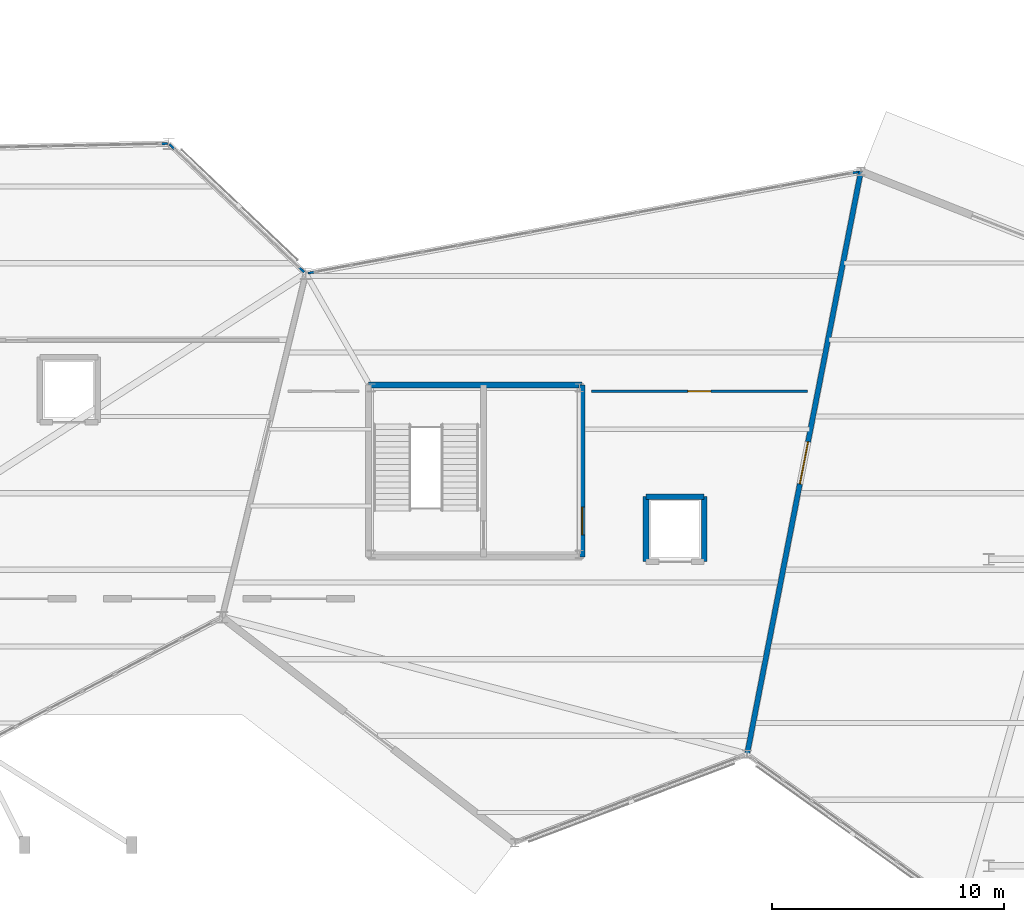
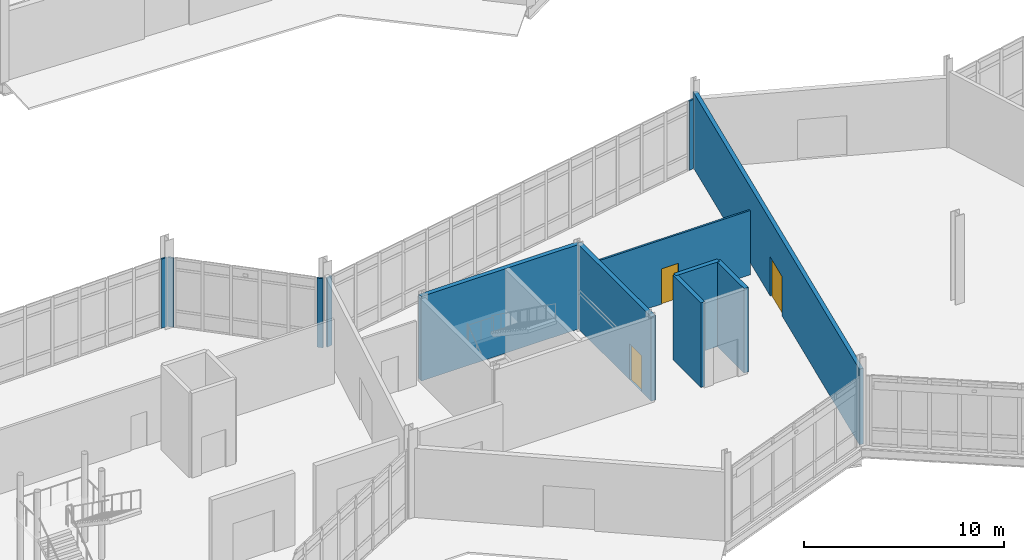
# One storey, part 91 of 113: 12 walls, 3 doors, 3 openings.
"""IFC4 building model written with IfcOpenShell, lengths in metres."""

import ifcopenshell
import ifcopenshell.guid

model = None  # the IFC model being written
_history = None  # IfcOwnerHistory: only IFC2X3 demands one
_inside = {}  # id of a spatial element -> (the spatial element, [elements in it])
_under = {}  # id of a project, library or spatial element -> (it, [spatial elements below it])
_declared = {}  # id of a project -> (the project, [libraries it declares])
_typed = {}  # id of a type object -> (the type object, [elements of that type])
_made_of = {}  # id of a material, layer set ... -> (it, [elements and type objects made of it])


def new_model(schema):
    """Start an empty IFC model of exactly this schema.

    Asked for "IFC4X3", IfcOpenShell would pick the latest addendum, in which some entities
    have other attributes; the version numbers below select the first issue.
    IFC2X3 requires an IfcOwnerHistory on every rooted entity: one is made here for all.
    """
    global model, _history
    if schema == "IFC4X3":
        model = ifcopenshell.file(schema_version=(4, 3, 0, 0))
    else:
        model = ifcopenshell.file(schema=schema)
    _inside.clear()
    _under.clear()
    _declared.clear()
    _typed.clear()
    _made_of.clear()
    _history = None
    if model.schema == "IFC2X3":
        org = make("IfcOrganization", Name="unknown")
        user = make(
            "IfcPersonAndOrganization",
            ThePerson=make("IfcPerson", FamilyName="unknown"),
            TheOrganization=org,
        )
        app = make(
            "IfcApplication",
            ApplicationDeveloper=org,
            Version="unknown",
            ApplicationFullName="unknown",
            ApplicationIdentifier="unknown",
        )
        _history = make(
            "IfcOwnerHistory",
            OwningUser=user,
            OwningApplication=app,
            ChangeAction="ADDED",
            CreationDate=0,
        )
    return model


def make(cls, **values):
    """One entity of the class cls with the attributes given. An attribute that is None is left unset."""
    return model.create_entity(
        cls, **{name: value for name, value in values.items() if value is not None}
    )


def rooted(cls, **values):
    """An entity with a GlobalId (a new one), such as an element, a storey or a relation."""
    return make(cls, GlobalId=ifcopenshell.guid.new(), OwnerHistory=_history, **values)


def si_unit(unit_type, name, prefix=None):
    """IfcSIUnit, for example si_unit("LENGTHUNIT", "METRE", prefix="MILLI")."""
    return make("IfcSIUnit", UnitType=unit_type, Prefix=prefix, Name=name)


def assignment(units):
    """IfcUnitAssignment: the units of a project."""
    return None if units is None else make("IfcUnitAssignment", Units=units)


def point(xyz):
    """IfcCartesianPoint."""
    return None if xyz is None else make("IfcCartesianPoint", Coordinates=xyz)


def direction(xyz):
    """IfcDirection."""
    return None if xyz is None else make("IfcDirection", DirectionRatios=xyz)


def frame(location, z_axis=None, x_axis=None):
    """IfcAxis2Placement3D, a coordinate frame: its origin and axes. An axis left out is left unset."""
    return make(
        "IfcAxis2Placement3D",
        Location=point(location),
        Axis=direction(z_axis),
        RefDirection=direction(x_axis),
    )


def frame_2d(location, x_axis=None):
    """IfcAxis2Placement2D, a coordinate frame in the plane: its origin and x axis."""
    return make(
        "IfcAxis2Placement2D", Location=point(location), RefDirection=direction(x_axis)
    )


def origin():
    """The frame at (0, 0, 0) with its axes left unset."""
    return frame((0.0, 0.0, 0.0))


def place(relative_to, where):
    """IfcLocalPlacement: puts the frame where relative to a parent placement (None: the world)."""
    return make(
        "IfcLocalPlacement", PlacementRelTo=relative_to, RelativePlacement=where
    )


def context(
    kind, dimensions, precision=None, world=None, true_north=None, identifier=None
):
    """IfcGeometricRepresentationContext, for example the 3D "Model" context."""
    return make(
        "IfcGeometricRepresentationContext",
        ContextIdentifier=identifier,
        ContextType=kind,
        CoordinateSpaceDimension=dimensions,
        Precision=precision,
        WorldCoordinateSystem=world,
        TrueNorth=true_north,
    )


def subcontext(parent, identifier, kind, view, scale=None):
    """IfcGeometricRepresentationSubContext, for example "Body" below "Model"."""
    return make(
        "IfcGeometricRepresentationSubContext",
        ContextIdentifier=identifier,
        ContextType=kind,
        ParentContext=parent,
        TargetScale=scale,
        TargetView=view,
    )


def project(units=None, contexts=None):
    """IfcProject with its units and contexts."""
    return rooted(
        "IfcProject",
        Name="project",
        RepresentationContexts=contexts,
        UnitsInContext=assignment(units),
    )


def spatial(cls, under=None, at=None, **own):
    """A site, building, storey or space (cls), placed at a placement, below another one or the project."""
    s = rooted(cls, ObjectPlacement=at, **own)
    if under is not None:
        _under.setdefault(under.id(), (under, []))[1].append(s)
    return s


def profile(cls, at=None, kind="AREA", **sizes):
    """A parametric profile (cls). Its sizes go by their IFC names, for example OverallWidth=200.0."""
    return make(cls, ProfileType=kind, Position=at, **sizes)


def rectangle(**sizes):
    """IfcRectangleProfileDef."""
    return profile("IfcRectangleProfileDef", **sizes)


def extrude(swept, where, along, depth):
    """IfcExtrudedAreaSolid: the profile swept, set in the frame where, extruded along a direction by depth."""
    return make(
        "IfcExtrudedAreaSolid",
        SweptArea=swept,
        Position=where,
        ExtrudedDirection=direction(along),
        Depth=depth,
    )


def shape(context_of_items, identifier, shape_type, items):
    """IfcShapeRepresentation: the items that make up one representation, for example the "Body"."""
    return make(
        "IfcShapeRepresentation",
        ContextOfItems=context_of_items,
        RepresentationIdentifier=identifier,
        RepresentationType=shape_type,
        Items=items,
    )


def material(Name=None, Category=None):
    """IfcMaterial."""
    return make("IfcMaterial", Name=Name, Category=Category)


def layer(
    of_material, thickness, ventilated=None, Name=None, Category=None, Priority=None
):
    """IfcMaterialLayer: one layer of a wall or slab, of a material (None: an air gap)."""
    return make(
        "IfcMaterialLayer",
        Material=of_material,
        LayerThickness=thickness,
        IsVentilated=ventilated,
        Name=Name,
        Category=Category,
        Priority=Priority,
    )


def layer_set(layers, Name=None):
    """IfcMaterialLayerSet."""
    return make("IfcMaterialLayerSet", MaterialLayers=layers, LayerSetName=Name)


def made_of(thing, what):
    """Note that an element or type object is made of a material, layer set ...; save() writes the relation."""
    if what is not None:
        _made_of.setdefault(what.id(), (what, []))[1].append(thing)
    return thing


def type_object(cls, material=None, **own):
    """A type object (cls), such as IfcWallType, which elements share."""
    return made_of(rooted(cls, **own), material)


def element(
    cls,
    number,
    at=None,
    inside=None,
    cuts=None,
    type_object=None,
    material=None,
    context=None,
    identifier="Body",
    shape_type=None,
    held_by="IfcProductDefinitionShape",
    body=None,
    shapes=None,
    **own,
):
    """One element of the class cls, such as IfcWall. Its Tag is "e" and its number.

    at: its placement. inside: the storey or other place that contains it. cuts: it is an
    opening in that element (IfcRelVoidsElement). A single representation is given by context,
    identifier, shape_type and body (its items); several are given by shapes. held_by: the class
    of the entity that holds the representations. save() writes the other relations.
    """
    e = rooted(cls, Tag="e%d" % number, ObjectPlacement=at, **own)
    if body is not None:
        shapes = [shape(context, identifier, shape_type, body)]
    if shapes is not None:
        e.Representation = make(held_by, Representations=shapes)
    if inside is not None:
        _inside.setdefault(inside.id(), (inside, []))[1].append(e)
    if cuts is not None:
        rooted(
            "IfcRelVoidsElement", RelatingBuildingElement=cuts, RelatedOpeningElement=e
        )
    if type_object is not None:
        _typed.setdefault(type_object.id(), (type_object, []))[1].append(e)
    return made_of(e, material)


def fill(opening, filler):
    """IfcRelFillsElement: the door or window that sits in an opening."""
    return rooted(
        "IfcRelFillsElement",
        RelatingOpeningElement=opening,
        RelatedBuildingElement=filler,
    )


def aggregate(whole, parts):
    """IfcRelAggregates: a whole, such as a stair, and the parts it consists of."""
    return rooted("IfcRelAggregates", RelatingObject=whole, RelatedObjects=parts)


def save(model, path):
    """Write the relations noted so far, then the file.

    IfcRelAggregates (storeys below a building ...), IfcRelContainedInSpatialStructure (elements
    in a storey), IfcRelDefinesByType, IfcRelAssociatesMaterial and IfcRelDeclares: one each for
    every whole, place, type object, material and project.
    """
    for whole, parts in _under.values():
        aggregate(whole, parts)
    for where, things in _inside.values():
        rooted(
            "IfcRelContainedInSpatialStructure",
            RelatedElements=things,
            RelatingStructure=where,
        )
    for kind, things in _typed.values():
        rooted("IfcRelDefinesByType", RelatedObjects=things, RelatingType=kind)
    for what, things in _made_of.values():
        rooted("IfcRelAssociatesMaterial", RelatedObjects=things, RelatingMaterial=what)
    for by, libraries in _declared.values():
        rooted("IfcRelDeclares", RelatingContext=by, RelatedDefinitions=libraries)
    model.write(path)


model = new_model("IFC4")

# Units and contexts
model_context = context("Model", 3, precision=1e-05, world=origin(), true_north=direction((0.0, 1.0)))
body_context = subcontext(model_context, "Body", "Model", "MODEL_VIEW")
ifc_project = project(units=[si_unit("LENGTHUNIT", "METRE"), si_unit("AREAUNIT", "SQUARE_METRE"), si_unit("VOLUMEUNIT", "CUBIC_METRE"), si_unit("PLANEANGLEUNIT", "RADIAN"), si_unit("MASSUNIT", "GRAM", prefix="KILO")], contexts=[model_context])

# Site, building, storey
site_placement = place(None, origin())
site = spatial("IfcSite", under=ifc_project, at=site_placement, CompositionType="ELEMENT")
building_placement = place(site_placement, origin())
building = spatial("IfcBuilding", under=site, at=building_placement, Name="Tameran Prism Museum", CompositionType="ELEMENT")
storey_placement = place(building_placement, origin())
storey = spatial("IfcBuildingStorey", under=building, at=storey_placement, Name="L00", CompositionType="ELEMENT", Elevation=0.0)

# Walls
ifc_material_1 = material(Name="Precast Concrete N40 (40 MPa)", Category="concrete")
ifc_layer_1 = layer(ifc_material_1, 0.094970703125)
ifc_layer_set_1 = layer_set([ifc_layer_1])
wall_type_1 = type_object("IfcWallType", Name="EW-CLOS-095", PredefinedType="SOLIDWALL", material=ifc_layer_set_1)
for number, where, z_axis, x_axis, name in (
    (1, (95.830078125, 48.571044921875, 0.0), (0.0, 0.0, 1.0), (0.725848676719, -0.687854416651, 0.0), "Facade Corner Closure EW-0095"),
    (2, (101.403076171875, 43.281982421875, 0.0), (0.0, 0.0, 1.0), (0.726243974232, -0.687437044311, 0.0), "Facade Corner Closure EW-0096"),
):
    element("IfcWall", number, at=place(storey_placement, frame(where, z_axis=z_axis, x_axis=x_axis)), inside=storey, type_object=wall_type_1, Name=name, PredefinedType="SOLIDWALL", context=body_context, shape_type="SweptSolid", body=[
        extrude(rectangle(XDim=0.308349609375, YDim=0.094970703125, at=frame_2d((0.154296875, 0.0))), origin(), (0.0, 0.0, 1.0), 4.219970703125),
    ])
wall_1_placement = place(storey_placement, frame((95.449951171875, 48.592041015625, 0.0), z_axis=(0.0, 0.0, 1.0), x_axis=(0.999736078158, 0.022973333016, 0.0)))
element("IfcWall", 3, at=wall_1_placement, inside=storey, type_object=wall_type_1, Name="Facade Corner Closure EW-0098", PredefinedType="SOLIDWALL", context=body_context, shape_type="SweptSolid", body=[
    extrude(rectangle(XDim=0.30810546875, YDim=0.094970703125, at=frame_2d((0.154052734375, 0.0))), origin(), (0.0, 0.0, 1.0), 4.219970703125),
])
for number, where, z_axis, x_axis, name in (
    (4, (101.800048828125, 43.01904296875, 0.0), (0.0, 0.0, 1.0), (0.983958590936, 0.178397004803, 0.0), "Facade Corner Closure EW-0107"),
    (5, (125.193115234375, 47.324951171875, 0.0), (0.0, 0.0, 1.0), (0.983958590936, 0.178397004803, 0.0), "Facade Corner Closure EW-0108"),
):
    element("IfcWall", number, at=place(storey_placement, frame(where, z_axis=z_axis, x_axis=x_axis)), inside=storey, type_object=wall_type_1, Name=name, PredefinedType="SOLIDWALL", context=body_context, shape_type="SweptSolid", body=[
        extrude(rectangle(XDim=0.307861328125, YDim=0.094970703125, at=frame_2d((0.15380859375, 0.0))), origin(), (0.0, 0.0, 1.0), 4.219970703125),
    ])

# Wall, opening, door
ifc_material_2 = material(Name="Concrete N40 (40 MPa)", Category="concrete")
ifc_layer_2 = layer(ifc_material_2, 0.22509765625)
ifc_layer_set_2 = layer_set([ifc_layer_2])
wall_type_2 = type_object("IfcWallType", Name="IW-CMP-225", PredefinedType="SOLIDWALL", material=ifc_layer_set_2)
wall_2_placement = place(storey_placement, frame((120.699951171875, 22.300048828125, 0.0), z_axis=(0.0, 0.0, 1.0), x_axis=(0.191608827438, 0.981471373626, 0.0)))
wall_2 = element("IfcWall", 6, at=wall_2_placement, inside=storey, type_object=wall_type_2, Name="Compartment Wall IW-0039", PredefinedType="SOLIDWALL", context=body_context, shape_type="SweptSolid", body=[
    extrude(rectangle(XDim=25.57373046875, YDim=0.22509765625, at=frame_2d((12.786865234375, 0.0))), origin(), (0.0, 0.0, 1.0), 4.6201171875),
])
opening_1_placement = place(wall_2_placement, frame((11.862060546875, 0.0, 0.0)))
opening_1 = element("IfcOpeningElement", 7, at=opening_1_placement, cuts=wall_2, Name="Opening ID-0038", PredefinedType="OPENING", context=body_context, shape_type="SweptSolid", body=[
    extrude(rectangle(XDim=1.85009765625, YDim=2.39990234375, at=frame_2d((0.925048828125, 1.199951171875))), frame((0.0, 0.12255859375, 0.0), z_axis=(0.0, -1.0, 0.0), x_axis=(1.0, 0.0, 0.0)), (0.0, 0.0, 1.0), 0.2451171875),
])
ifc_material_3 = material(Name="Fire-Rated Steel Door Leaf and Frame", Category="steel")
door_type_1 = type_object("IfcDoorType", Name="DR-GAL-185", OperationType="DOUBLE_DOOR_SINGLE_SWING", PredefinedType="DOOR", material=ifc_material_3)
door_1_placement = place(opening_1_placement, origin())
door_1 = element("IfcDoor", 8, at=door_1_placement, inside=storey, type_object=door_type_1, Name="Compartment Door ID-0038", OperationType="DOUBLE_DOOR_SINGLE_SWING", OverallHeight=2.39990234375, OverallWidth=1.85009765625, PredefinedType="DOOR", context=body_context, shape_type="SweptSolid", body=[
    extrude(rectangle(XDim=1.85009765625, YDim=2.39990234375, at=frame_2d((0.925048828125, 1.199951171875))), frame((0.0, 0.02490234375, 0.0), z_axis=(0.0, -1.0, 0.0), x_axis=(1.0, 0.0, 0.0)), (0.0, 0.0, 1.0), 0.050048828125),
])
fill(opening_1, door_1)

# Wall
ifc_material_4 = material(Name="Concrete N40 (40 MPa)", Category="concrete")
ifc_layer_3 = layer(ifc_material_4, 0.25)
ifc_layer_set_3 = layer_set([ifc_layer_3])
wall_type_3 = type_object("IfcWallType", Name="IW-COR-250", PredefinedType="SHEAR", material=ifc_layer_set_3)
wall_3_placement = place(storey_placement, frame((104.39990234375, 38.199951171875, 0.0), z_axis=(0.0, 0.0, 1.0), x_axis=(1.0, 0.0, 0.0)))
element("IfcWall", 9, at=wall_3_placement, inside=storey, type_object=wall_type_3, Name="Core Shear Wall CW-4-L00-N", PredefinedType="SHEAR", context=body_context, shape_type="SweptSolid", body=[
    extrude(rectangle(XDim=9.2001953125, YDim=0.25, at=frame_2d((4.60009765625, 0.0))), origin(), (0.0, 0.0, 1.0), 5.159912109375),
])

# Wall, opening, door
wall_4_placement = place(storey_placement, frame((113.60009765625, 38.199951171875, 0.0), z_axis=(0.0, 0.0, 1.0), x_axis=(0.0, -1.0, 0.0)))
wall_4 = element("IfcWall", 10, at=wall_4_placement, inside=storey, type_object=wall_type_3, Name="Core Shear Wall CW-4-L00-E", PredefinedType="SHEAR", context=body_context, shape_type="SweptSolid", body=[
    extrude(rectangle(XDim=7.39990234375, YDim=0.25, at=frame_2d((3.699951171875, 0.0))), origin(), (0.0, 0.0, 1.0), 5.159912109375),
])
opening_2_placement = place(wall_4_placement, frame((5.25, 0.0, 0.0)))
opening_2 = element("IfcOpeningElement", 11, at=opening_2_placement, cuts=wall_4, Name="Opening FD-0235", PredefinedType="OPENING", context=body_context, shape_type="SweptSolid", body=[
    extrude(rectangle(XDim=1.199951171875, YDim=2.199951171875, at=frame_2d((0.60009765625, 1.10009765625))), frame((0.0, 0.135009765625, 0.0), z_axis=(0.0, -1.0, 0.0), x_axis=(1.0, 0.0, 0.0)), (0.0, 0.0, 1.0), 0.27001953125),
])
ifc_material_5 = material(Name="Fire-Rated Steel Door Leaf and Frame", Category="steel")
door_type_2 = type_object("IfcDoorType", Name="DR-FD-120A", OperationType="NOTDEFINED", PredefinedType="DOOR", material=ifc_material_5)
door_2_placement = place(opening_2_placement, origin())
door_2 = element("IfcDoor", 12, at=door_2_placement, inside=storey, type_object=door_type_2, Name="Core Fire Door FD-0235", OperationType="SINGLE_SWING_LEFT", OverallHeight=2.199951171875, OverallWidth=1.199951171875, PredefinedType="DOOR", context=body_context, shape_type="SweptSolid", body=[
    extrude(rectangle(XDim=1.199951171875, YDim=2.199951171875, at=frame_2d((0.60009765625, 1.10009765625))), frame((0.0, 0.02490234375, 0.0), z_axis=(0.0, -1.0, 0.0), x_axis=(1.0, 0.0, 0.0)), (0.0, 0.0, 1.0), 0.050048828125),
])
fill(opening_2, door_2)

# Walls
ifc_material_6 = material(Name="Concrete N40 (40 MPa)", Category="concrete")
ifc_layer_4 = layer(ifc_material_6, 0.239990234375)
ifc_layer_set_4 = layer_set([ifc_layer_4])
wall_type_4 = type_object("IfcWallType", Name="IW-LFT-240", PredefinedType="SHEAR", material=ifc_layer_set_4)
wall_5_placement = place(storey_placement, frame((116.35009765625, 33.39990234375, 0.0), z_axis=(0.0, 0.0, 1.0), x_axis=(1.0, 0.0, 0.0)))
element("IfcWall", 13, at=wall_5_placement, inside=storey, type_object=wall_type_4, Name="Lift Shaft Wall LW-PL03-L00N", PredefinedType="SHEAR", context=body_context, shape_type="SweptSolid", body=[
    extrude(rectangle(XDim=2.5, YDim=0.239990234375, at=frame_2d((1.25, 0.0))), origin(), (0.0, 0.0, 1.0), 5.159912109375),
])
for number, where, z_axis, x_axis, name in (
    (14, (118.85009765625, 33.39990234375, 0.0), (0.0, 0.0, 1.0), (0.0, -1.0, 0.0), "Lift Shaft Wall LW-PL03-L00E"),
    (15, (116.35009765625, 30.60009765625, 0.0), (0.0, 0.0, 1.0), (0.0, 1.0, 0.0), "Lift Shaft Wall LW-PL03-L00W"),
):
    element("IfcWall", number, at=place(storey_placement, frame(where, z_axis=z_axis, x_axis=x_axis)), inside=storey, type_object=wall_type_4, Name=name, PredefinedType="SHEAR", context=body_context, shape_type="SweptSolid", body=[
        extrude(rectangle(XDim=2.7998046875, YDim=0.239990234375, at=frame_2d((1.39990234375, 0.0))), origin(), (0.0, 0.0, 1.0), 5.159912109375),
    ])

# Wall, opening, door
ifc_material_7 = material(Name="Store Lightweight Stud Partition")
ifc_layer_5 = layer(ifc_material_7, 0.110107421875)
ifc_layer_set_5 = layer_set([ifc_layer_5])
wall_type_5 = type_object("IfcWallType", Name="IW-PRT-110", PredefinedType="PARTITIONING", material=ifc_layer_set_5)
wall_6_placement = place(storey_placement, frame((114.0, 37.93310546875, 0.0), z_axis=(0.0, 0.0, 1.0), x_axis=(1.0, 0.0, 0.0)))
wall_6 = element("IfcWall", 16, at=wall_6_placement, inside=storey, type_object=wall_type_5, Name="Internal Partition PT-0063", PredefinedType="PARTITIONING", context=body_context, shape_type="SweptSolid", body=[
    extrude(rectangle(XDim=9.29296875, YDim=0.110107421875, at=frame_2d((4.646484375, 0.0))), origin(), (0.0, 0.0, 1.0), 3.919921875),
])
opening_3_placement = place(wall_6_placement, frame((4.156982421875, 0.0, 0.0)))
opening_3 = element("IfcOpeningElement", 17, at=opening_3_placement, cuts=wall_6, Name="Opening ID-0062", PredefinedType="OPENING", context=body_context, shape_type="SweptSolid", body=[
    extrude(rectangle(XDim=0.97998046875, YDim=2.14990234375, at=frame_2d((0.489990234375, 1.074951171875))), frame((0.0, 0.06494140625, 0.0), z_axis=(0.0, -1.0, 0.0), x_axis=(1.0, 0.0, 0.0)), (0.0, 0.0, 1.0), 0.130126953125),
])
ifc_material_8 = material(Name="Acoustic Solid-Core Timber Door", Category="wood")
door_type_3 = type_object("IfcDoorType", Name="DR-INT-098", OperationType="NOTDEFINED", PredefinedType="DOOR", material=ifc_material_8)
door_3_placement = place(opening_3_placement, origin())
door_3 = element("IfcDoor", 18, at=door_3_placement, inside=storey, type_object=door_type_3, Name="Interior Room Door ID-0062", OperationType="SINGLE_SWING_LEFT", OverallHeight=2.14990234375, OverallWidth=0.97998046875, PredefinedType="DOOR", context=body_context, shape_type="SweptSolid", body=[
    extrude(rectangle(XDim=0.97998046875, YDim=2.14990234375, at=frame_2d((0.489990234375, 1.074951171875))), frame((0.0, 0.02490234375, 0.0), z_axis=(0.0, -1.0, 0.0), x_axis=(1.0, 0.0, 0.0)), (0.0, 0.0, 1.0), 0.050048828125),
])
fill(opening_3, door_3)

save(model, "model.ifc")
